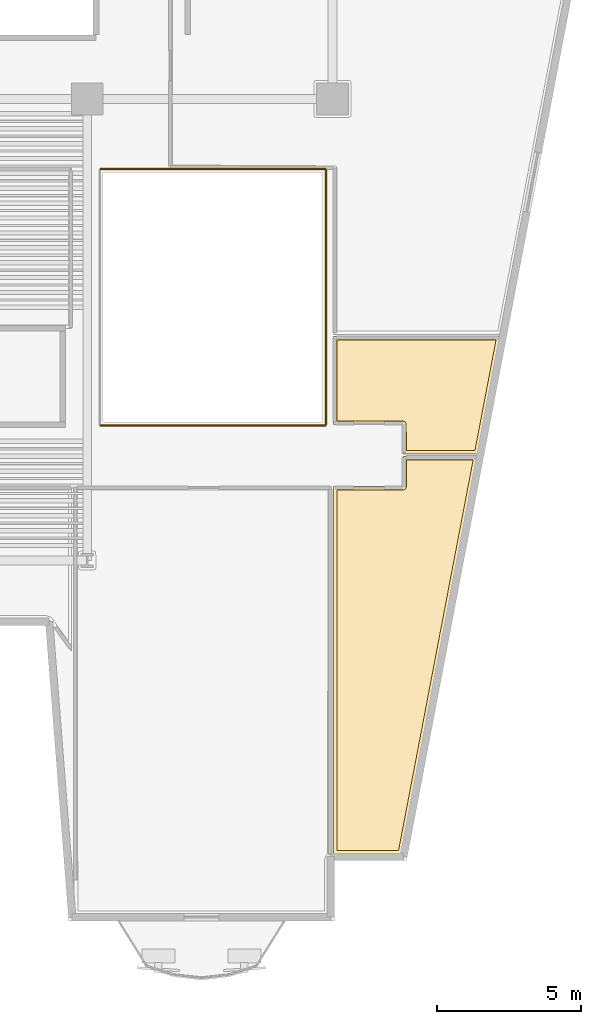
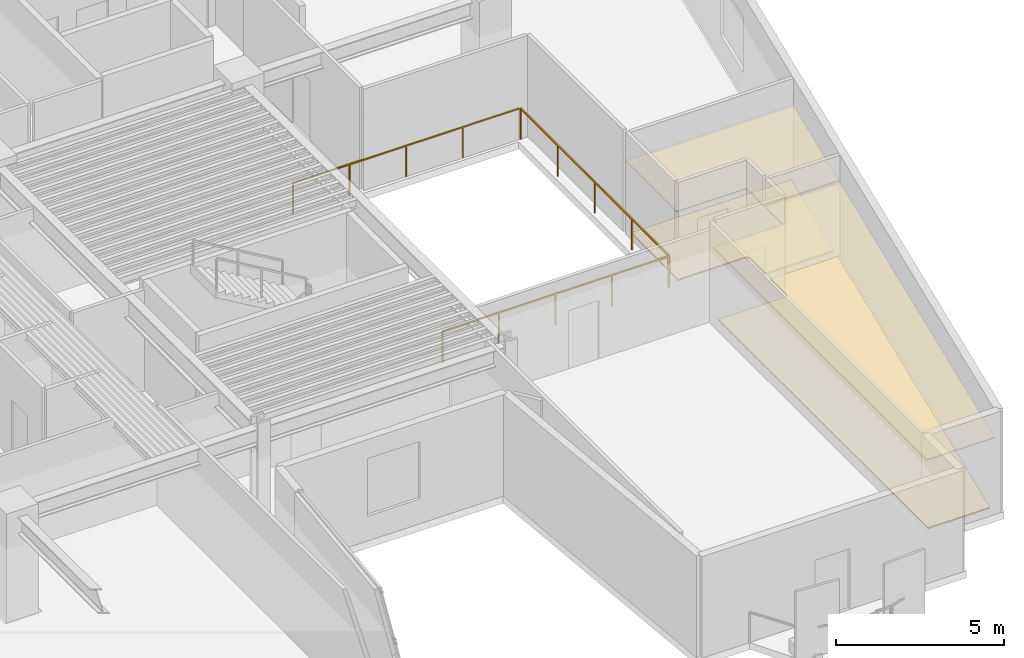
# One storey, part 11 of 13: 4 coverings, 3 railings.
"""IFC4 building model written with IfcOpenShell, lengths in metres."""

import ifcopenshell
import ifcopenshell.guid

model = None  # the IFC model being written
_history = None  # IfcOwnerHistory: only IFC2X3 demands one
_inside = {}  # id of a spatial element -> (the spatial element, [elements in it])
_under = {}  # id of a project, library or spatial element -> (it, [spatial elements below it])
_declared = {}  # id of a project -> (the project, [libraries it declares])
_typed = {}  # id of a type object -> (the type object, [elements of that type])
_made_of = {}  # id of a material, layer set ... -> (it, [elements and type objects made of it])


def new_model(schema):
    """Start an empty IFC model of exactly this schema.

    Asked for "IFC4X3", IfcOpenShell would pick the latest addendum, in which some entities
    have other attributes; the version numbers below select the first issue.
    IFC2X3 requires an IfcOwnerHistory on every rooted entity: one is made here for all.
    """
    global model, _history
    if schema == "IFC4X3":
        model = ifcopenshell.file(schema_version=(4, 3, 0, 0))
    else:
        model = ifcopenshell.file(schema=schema)
    _inside.clear()
    _under.clear()
    _declared.clear()
    _typed.clear()
    _made_of.clear()
    _history = None
    if model.schema == "IFC2X3":
        org = make("IfcOrganization", Name="unknown")
        user = make(
            "IfcPersonAndOrganization",
            ThePerson=make("IfcPerson", FamilyName="unknown"),
            TheOrganization=org,
        )
        app = make(
            "IfcApplication",
            ApplicationDeveloper=org,
            Version="unknown",
            ApplicationFullName="unknown",
            ApplicationIdentifier="unknown",
        )
        _history = make(
            "IfcOwnerHistory",
            OwningUser=user,
            OwningApplication=app,
            ChangeAction="ADDED",
            CreationDate=0,
        )
    return model


def make(cls, **values):
    """One entity of the class cls with the attributes given. An attribute that is None is left unset."""
    return model.create_entity(
        cls, **{name: value for name, value in values.items() if value is not None}
    )


def rooted(cls, **values):
    """An entity with a GlobalId (a new one), such as an element, a storey or a relation."""
    return make(cls, GlobalId=ifcopenshell.guid.new(), OwnerHistory=_history, **values)


def si_unit(unit_type, name, prefix=None):
    """IfcSIUnit, for example si_unit("LENGTHUNIT", "METRE", prefix="MILLI")."""
    return make("IfcSIUnit", UnitType=unit_type, Prefix=prefix, Name=name)


def assignment(units):
    """IfcUnitAssignment: the units of a project."""
    return None if units is None else make("IfcUnitAssignment", Units=units)


def point(xyz):
    """IfcCartesianPoint."""
    return None if xyz is None else make("IfcCartesianPoint", Coordinates=xyz)


def direction(xyz):
    """IfcDirection."""
    return None if xyz is None else make("IfcDirection", DirectionRatios=xyz)


def frame(location, z_axis=None, x_axis=None):
    """IfcAxis2Placement3D, a coordinate frame: its origin and axes. An axis left out is left unset."""
    return make(
        "IfcAxis2Placement3D",
        Location=point(location),
        Axis=direction(z_axis),
        RefDirection=direction(x_axis),
    )


def frame_2d(location, x_axis=None):
    """IfcAxis2Placement2D, a coordinate frame in the plane: its origin and x axis."""
    return make(
        "IfcAxis2Placement2D", Location=point(location), RefDirection=direction(x_axis)
    )


def origin():
    """The frame at (0, 0, 0) with its axes left unset."""
    return frame((0.0, 0.0, 0.0))


def origin_2d():
    """The frame at (0, 0) in the plane with its x axis left unset."""
    return frame_2d((0.0, 0.0))


def place(relative_to, where):
    """IfcLocalPlacement: puts the frame where relative to a parent placement (None: the world)."""
    return make(
        "IfcLocalPlacement", PlacementRelTo=relative_to, RelativePlacement=where
    )


def context(
    kind, dimensions, precision=None, world=None, true_north=None, identifier=None
):
    """IfcGeometricRepresentationContext, for example the 3D "Model" context."""
    return make(
        "IfcGeometricRepresentationContext",
        ContextIdentifier=identifier,
        ContextType=kind,
        CoordinateSpaceDimension=dimensions,
        Precision=precision,
        WorldCoordinateSystem=world,
        TrueNorth=true_north,
    )


def subcontext(parent, identifier, kind, view, scale=None):
    """IfcGeometricRepresentationSubContext, for example "Body" below "Model"."""
    return make(
        "IfcGeometricRepresentationSubContext",
        ContextIdentifier=identifier,
        ContextType=kind,
        ParentContext=parent,
        TargetScale=scale,
        TargetView=view,
    )


def project(units=None, contexts=None):
    """IfcProject with its units and contexts."""
    return rooted(
        "IfcProject",
        Name="project",
        RepresentationContexts=contexts,
        UnitsInContext=assignment(units),
    )


def spatial(cls, under=None, at=None, **own):
    """A site, building, storey or space (cls), placed at a placement, below another one or the project."""
    s = rooted(cls, ObjectPlacement=at, **own)
    if under is not None:
        _under.setdefault(under.id(), (under, []))[1].append(s)
    return s


def polyline(points):
    """IfcPolyline through the points."""
    return make("IfcPolyline", Points=[point(p) for p in points])


def profile(cls, at=None, kind="AREA", **sizes):
    """A parametric profile (cls). Its sizes go by their IFC names, for example OverallWidth=200.0."""
    return make(cls, ProfileType=kind, Position=at, **sizes)


def rectangle(**sizes):
    """IfcRectangleProfileDef."""
    return profile("IfcRectangleProfileDef", **sizes)


def outline(outer, holes=None, kind="AREA"):
    """IfcArbitraryClosedProfileDef: a profile drawn as a closed curve; with holes, ...WithVoids."""
    if holes is None:
        return make("IfcArbitraryClosedProfileDef", ProfileType=kind, OuterCurve=outer)
    return make(
        "IfcArbitraryProfileDefWithVoids",
        ProfileType=kind,
        OuterCurve=outer,
        InnerCurves=holes,
    )


def extrude(swept, where, along, depth):
    """IfcExtrudedAreaSolid: the profile swept, set in the frame where, extruded along a direction by depth."""
    return make(
        "IfcExtrudedAreaSolid",
        SweptArea=swept,
        Position=where,
        ExtrudedDirection=direction(along),
        Depth=depth,
    )


def shape(context_of_items, identifier, shape_type, items):
    """IfcShapeRepresentation: the items that make up one representation, for example the "Body"."""
    return make(
        "IfcShapeRepresentation",
        ContextOfItems=context_of_items,
        RepresentationIdentifier=identifier,
        RepresentationType=shape_type,
        Items=items,
    )


def material(Name=None, Category=None):
    """IfcMaterial."""
    return make("IfcMaterial", Name=Name, Category=Category)


def layer(
    of_material, thickness, ventilated=None, Name=None, Category=None, Priority=None
):
    """IfcMaterialLayer: one layer of a wall or slab, of a material (None: an air gap)."""
    return make(
        "IfcMaterialLayer",
        Material=of_material,
        LayerThickness=thickness,
        IsVentilated=ventilated,
        Name=Name,
        Category=Category,
        Priority=Priority,
    )


def layer_set(layers, Name=None):
    """IfcMaterialLayerSet."""
    return make("IfcMaterialLayerSet", MaterialLayers=layers, LayerSetName=Name)


def made_of(thing, what):
    """Note that an element or type object is made of a material, layer set ...; save() writes the relation."""
    if what is not None:
        _made_of.setdefault(what.id(), (what, []))[1].append(thing)
    return thing


def type_object(cls, material=None, **own):
    """A type object (cls), such as IfcWallType, which elements share."""
    return made_of(rooted(cls, **own), material)


def element(
    cls,
    number,
    at=None,
    inside=None,
    cuts=None,
    type_object=None,
    material=None,
    context=None,
    identifier="Body",
    shape_type=None,
    held_by="IfcProductDefinitionShape",
    body=None,
    shapes=None,
    **own,
):
    """One element of the class cls, such as IfcWall. Its Tag is "e" and its number.

    at: its placement. inside: the storey or other place that contains it. cuts: it is an
    opening in that element (IfcRelVoidsElement). A single representation is given by context,
    identifier, shape_type and body (its items); several are given by shapes. held_by: the class
    of the entity that holds the representations. save() writes the other relations.
    """
    e = rooted(cls, Tag="e%d" % number, ObjectPlacement=at, **own)
    if body is not None:
        shapes = [shape(context, identifier, shape_type, body)]
    if shapes is not None:
        e.Representation = make(held_by, Representations=shapes)
    if inside is not None:
        _inside.setdefault(inside.id(), (inside, []))[1].append(e)
    if cuts is not None:
        rooted(
            "IfcRelVoidsElement", RelatingBuildingElement=cuts, RelatedOpeningElement=e
        )
    if type_object is not None:
        _typed.setdefault(type_object.id(), (type_object, []))[1].append(e)
    return made_of(e, material)


def aggregate(whole, parts):
    """IfcRelAggregates: a whole, such as a stair, and the parts it consists of."""
    return rooted("IfcRelAggregates", RelatingObject=whole, RelatedObjects=parts)


def save(model, path):
    """Write the relations noted so far, then the file.

    IfcRelAggregates (storeys below a building ...), IfcRelContainedInSpatialStructure (elements
    in a storey), IfcRelDefinesByType, IfcRelAssociatesMaterial and IfcRelDeclares: one each for
    every whole, place, type object, material and project.
    """
    for whole, parts in _under.values():
        aggregate(whole, parts)
    for where, things in _inside.values():
        rooted(
            "IfcRelContainedInSpatialStructure",
            RelatedElements=things,
            RelatingStructure=where,
        )
    for kind, things in _typed.values():
        rooted("IfcRelDefinesByType", RelatedObjects=things, RelatingType=kind)
    for what, things in _made_of.values():
        rooted("IfcRelAssociatesMaterial", RelatedObjects=things, RelatingMaterial=what)
    for by, libraries in _declared.values():
        rooted("IfcRelDeclares", RelatingContext=by, RelatedDefinitions=libraries)
    model.write(path)


model = new_model("IFC4")

# Units and contexts
model_context = context("Model", 3, precision=1e-05, world=origin(), true_north=direction((0.0, 1.0)))
body_context = subcontext(model_context, "Body", "Model", "MODEL_VIEW")
ifc_project = project(units=[si_unit("LENGTHUNIT", "METRE"), si_unit("AREAUNIT", "SQUARE_METRE"), si_unit("VOLUMEUNIT", "CUBIC_METRE"), si_unit("PLANEANGLEUNIT", "RADIAN"), si_unit("MASSUNIT", "GRAM", prefix="KILO")], contexts=[model_context])

# Site, building, storey
site_placement = place(None, origin())
site = spatial("IfcSite", under=ifc_project, at=site_placement, CompositionType="ELEMENT")
building_placement = place(site_placement, origin())
building = spatial("IfcBuilding", under=site, at=building_placement, Name="Caeloran Harvest Quay", CompositionType="ELEMENT")
storey_placement = place(building_placement, frame((0.0, 0.0, 123.25)))
storey = spatial("IfcBuildingStorey", under=building, at=storey_placement, Name="L28", CompositionType="ELEMENT", Elevation=123.25)

# Coverings
ifc_material_1 = material(Name="Perforated Mineral-Fibre Acoustic Ceiling Tile", Category="ceiling")
ifc_layer_1 = layer(ifc_material_1, 0.0400390625, Name="Perforated Mineral-Fibre Acoustic Ceiling Tile")
ifc_layer_set_1 = layer_set([ifc_layer_1], Name="Perforated Mineral-Fibre Acoustic Ceiling Tile")
covering_type_1 = type_object("IfcCoveringType", Name="COV-CEILING-ACOUSTIC", PredefinedType="CEILING", material=ifc_layer_set_1)
covering_1_placement = place(storey_placement, frame((0.0, 0.0, 2.60009765625)))
element("IfcCovering", 1, at=covering_1_placement, inside=storey, type_object=covering_type_1, Name="Bio-Security Compliance Office Acoustic Ceiling", PredefinedType="CEILING", context=body_context, shape_type="SweptSolid", body=[
    extrude(outline(polyline([(44.93994140625, 17.56005859375), (44.93994140625, 18.610107421875), (47.522705078125, 18.610107421875), (44.888916015625, 4.820068359375), (42.5400390625, 4.820068359375), (42.5400390625, 17.56005859375), (44.93994140625, 17.56005859375)])), origin(), (0.0, 0.0, 1.0), 0.039794921875),
])
covering_2_placement = place(storey_placement, frame((0.0, 0.0, 2.60009765625)))
element("IfcCovering", 2, at=covering_2_placement, inside=storey, type_object=covering_type_1, Name="Research Library Study Room Acoustic Ceiling", PredefinedType="CEILING", context=body_context, shape_type="SweptSolid", body=[
    extrude(outline(polyline([(44.93994140625, 19.7099609375), (42.5400390625, 19.7099609375), (42.5400390625, 22.760009765625), (48.315185546875, 22.760009765625), (47.537841796875, 18.68994140625), (44.93994140625, 18.68994140625), (44.93994140625, 19.7099609375)])), origin(), (0.0, 0.0, 1.0), 0.039794921875),
])
ifc_material_2 = material(Name="Calcium-Sulphate Raised Access Floor and Terrazzo Finish", Category="flooring")
ifc_layer_2 = layer(ifc_material_2, 0.050048828125, Name="Calcium-Sulphate Raised Access Floor and Terrazzo Finish")
ifc_layer_set_2 = layer_set([ifc_layer_2], Name="Calcium-Sulphate Raised Access Floor and Terrazzo Finish")
covering_type_2 = type_object("IfcCoveringType", Name="COV-FLOOR-RAISED", PredefinedType="FLOORING", material=ifc_layer_set_2)
covering_3_placement = place(storey_placement, origin())
element("IfcCovering", 3, at=covering_3_placement, inside=storey, type_object=covering_type_2, Name="Bio-Security Compliance Office Raised Finish Flooring", PredefinedType="FLOORING", context=body_context, shape_type="SweptSolid", body=[
    extrude(outline(polyline([(44.97802734375, 17.443603515625), (45.037353515625, 17.4833984375), (45.059814453125, 17.543212890625), (45.06005859375, 18.489990234375), (47.37744140625, 18.489990234375), (44.789794921875, 4.93994140625), (42.659912109375, 4.93994140625), (42.659912109375, 17.43994140625), (44.97802734375, 17.443603515625)])), origin(), (0.0, 0.0, 1.0), 0.050048828125),
])
covering_4_placement = place(storey_placement, origin())
element("IfcCovering", 4, at=covering_4_placement, inside=storey, type_object=covering_type_2, Name="Research Library Study Room Raised Finish Flooring", PredefinedType="FLOORING", context=body_context, shape_type="SweptSolid", body=[
    extrude(outline(polyline([(45.056396484375, 19.748046875), (45.0166015625, 19.807373046875), (44.953857421875, 19.829833984375), (42.659912109375, 19.830078125), (42.659912109375, 22.639892578125), (48.170166015625, 22.639892578125), (47.438720703125, 18.81005859375), (45.06005859375, 18.81005859375), (45.056396484375, 19.748046875)])), origin(), (0.0, 0.0, 1.0), 0.050048828125),
])

# Railings
ifc_material_3 = material(Name="Powder-Coated Steel Post and Laminated Glass Guardrail", Category="steel")
ifc_layer_3 = layer(ifc_material_3, 0.06005859375, Name="Powder-Coated Steel Post and Laminated Glass Guardrail")
ifc_layer_set_3 = layer_set([ifc_layer_3], Name="Powder-Coated Steel Post and Laminated Glass Guardrail")
railing_type = type_object("IfcRailingType", Name="GUARD-ATRIUM-1150", PredefinedType="GUARDRAIL", material=ifc_layer_set_3)
railing_1_placement = place(storey_placement, frame((34.4619140625, 19.679931640625, 0.0)))
element("IfcRailing", 5, at=railing_1_placement, inside=storey, type_object=railing_type, Name="L28 East Botanical Lightwell Guardrail Seg 1", PredefinedType="GUARDRAIL", context=body_context, shape_type="SweptSolid", body=[
    extrude(rectangle(XDim=0.048095703125, YDim=0.048095703125, at=origin_2d()), frame((0.0, 0.0, 1.1259765625), z_axis=(1.0, 0.0, 0.0), x_axis=(0.0, 1.0, 0.0)), (0.0, 0.0, 1.0), 7.776123046875),
    extrude(rectangle(XDim=0.0419921875, YDim=0.0419921875, at=origin_2d()), origin(), (0.0, 0.0, 1.0), 1.101806640625),
    extrude(rectangle(XDim=0.0419921875, YDim=0.0419921875, at=origin_2d()), frame((1.944091796875, 0.0, 0.0)), (0.0, 0.0, 1.0), 1.101806640625),
    extrude(rectangle(XDim=0.0419921875, YDim=0.0419921875, at=origin_2d()), frame((3.88818359375, 0.0, 0.0)), (0.0, 0.0, 1.0), 1.101806640625),
    extrude(rectangle(XDim=0.0419921875, YDim=0.0419921875, at=origin_2d()), frame((5.83203125, 0.0, 0.0)), (0.0, 0.0, 1.0), 1.101806640625),
    extrude(rectangle(XDim=0.0419921875, YDim=0.0419921875, at=origin_2d()), frame((7.776123046875, 0.0, 0.0)), (0.0, 0.0, 1.0), 1.101806640625),
])
railing_2_placement = place(storey_placement, frame((42.27001953125, 19.7119140625, 0.0)))
element("IfcRailing", 6, at=railing_2_placement, inside=storey, type_object=railing_type, Name="L28 East Botanical Lightwell Guardrail Seg 2", PredefinedType="GUARDRAIL", context=body_context, shape_type="SweptSolid", body=[
    extrude(rectangle(XDim=0.048095703125, YDim=0.048095703125, at=origin_2d()), frame((0.0, 0.0, 1.1259765625), z_axis=(0.0, 1.0, 0.0), x_axis=(-1.0, 0.0, 0.0)), (0.0, 0.0, 1.0), 8.826171875),
    extrude(rectangle(XDim=0.0419921875, YDim=0.0419921875, at=origin_2d()), origin(), (0.0, 0.0, 1.0), 1.101806640625),
    extrude(rectangle(XDim=0.0419921875, YDim=0.0419921875, at=origin_2d()), frame((0.0, 2.20654296875, 0.0)), (0.0, 0.0, 1.0), 1.101806640625),
    extrude(rectangle(XDim=0.0419921875, YDim=0.0419921875, at=origin_2d()), frame((0.0, 4.4130859375, 0.0)), (0.0, 0.0, 1.0), 1.101806640625),
    extrude(rectangle(XDim=0.0419921875, YDim=0.0419921875, at=origin_2d()), frame((0.0, 6.61962890625, 0.0)), (0.0, 0.0, 1.0), 1.101806640625),
    extrude(rectangle(XDim=0.0419921875, YDim=0.0419921875, at=origin_2d()), frame((0.0, 8.826171875, 0.0)), (0.0, 0.0, 1.0), 1.101806640625),
])
railing_3_placement = place(storey_placement, frame((42.238037109375, 28.570068359375, 0.0)))
element("IfcRailing", 7, at=railing_3_placement, inside=storey, type_object=railing_type, Name="L28 East Botanical Lightwell Guardrail Seg 3", PredefinedType="GUARDRAIL", context=body_context, shape_type="SweptSolid", body=[
    extrude(rectangle(XDim=0.048095703125, YDim=0.048095703125, at=origin_2d()), frame((0.0, 0.0, 1.1259765625), z_axis=(-1.0, 0.0, 0.0), x_axis=(0.0, -1.0, 0.0)), (0.0, 0.0, 1.0), 7.776123046875),
    extrude(rectangle(XDim=0.0419921875, YDim=0.0419921875, at=origin_2d()), origin(), (0.0, 0.0, 1.0), 1.101806640625),
    extrude(rectangle(XDim=0.0419921875, YDim=0.0419921875, at=origin_2d()), frame((-1.944091796875, 0.0, 0.0)), (0.0, 0.0, 1.0), 1.101806640625),
    extrude(rectangle(XDim=0.0419921875, YDim=0.0419921875, at=origin_2d()), frame((-3.88818359375, 0.0, 0.0)), (0.0, 0.0, 1.0), 1.101806640625),
    extrude(rectangle(XDim=0.0419921875, YDim=0.0419921875, at=origin_2d()), frame((-5.83203125, 0.0, 0.0)), (0.0, 0.0, 1.0), 1.101806640625),
    extrude(rectangle(XDim=0.0419921875, YDim=0.0419921875, at=origin_2d()), frame((-7.776123046875, 0.0, 0.0)), (0.0, 0.0, 1.0), 1.101806640625),
])

save(model, "model.ifc")
